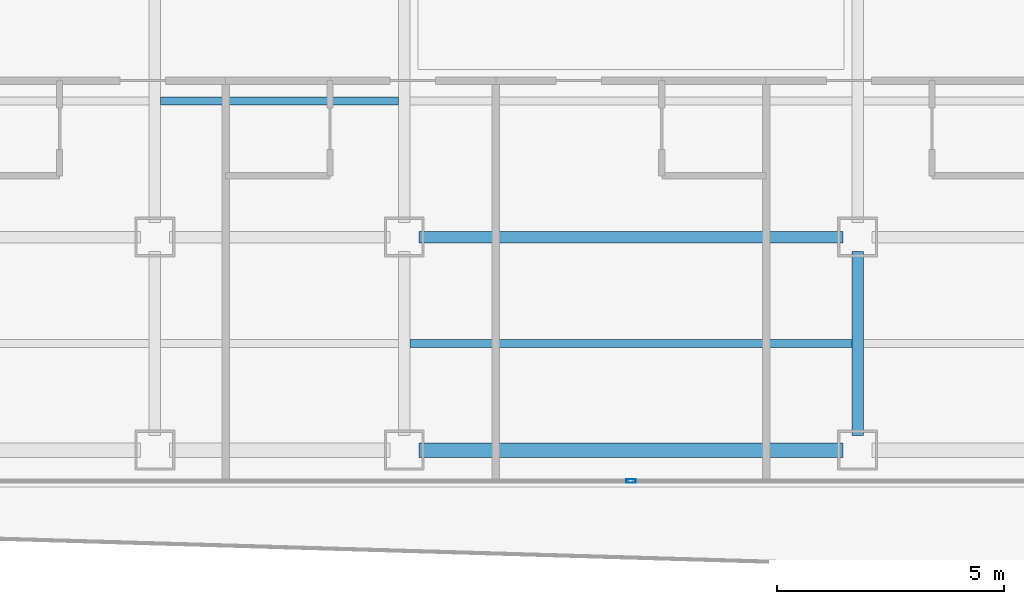
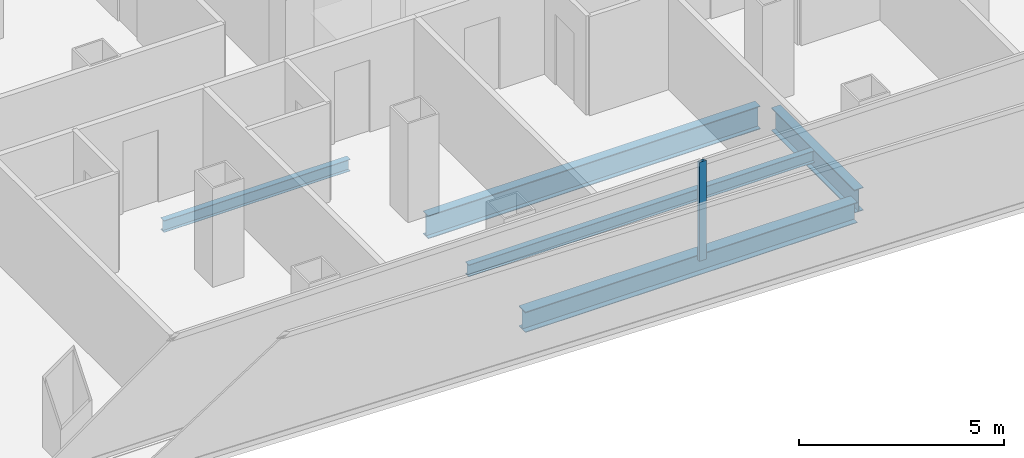
# One storey, part 4 of 21: 5 beams, 1 member, 1 element without a shape of its own.
"""IFC4 building model written with IfcOpenShell, lengths in metres."""

from ifc_helpers import new_model, si_unit, direction, frame, origin, origin_2d, place, context, subcontext, project, spatial, hollow_rectangle, i_section, extrude, source, transform, mapped, material, layer, layer_set, material_profile, profile_set, type_object, element, aggregate, save


model = new_model("IFC4")

# Units and contexts
model_context = context("Model", 3, precision=1e-05, world=origin(), true_north=direction((0.0, 1.0)))
body_context = subcontext(model_context, "Body", "Model", "MODEL_VIEW")
ifc_project = project(units=[si_unit("LENGTHUNIT", "METRE"), si_unit("AREAUNIT", "SQUARE_METRE"), si_unit("VOLUMEUNIT", "CUBIC_METRE"), si_unit("PLANEANGLEUNIT", "RADIAN"), si_unit("MASSUNIT", "GRAM", prefix="KILO")], contexts=[model_context])

# Site, building, storey
site_placement = place(None, origin())
site = spatial("IfcSite", under=ifc_project, at=site_placement, CompositionType="ELEMENT")
building_placement = place(site_placement, origin())
building = spatial("IfcBuilding", under=site, at=building_placement, Name="Kolveth Station Tower", CompositionType="ELEMENT")
storey_placement = place(building_placement, frame((0.0, 0.0, 115.10009765625)))
storey = spatial("IfcBuildingStorey", under=building, at=storey_placement, Name="L31", CompositionType="ELEMENT", Elevation=115.10009765625)

# Beams
ifc_material_1 = material(Name="Steel S355", Category="steel")
ifc_material_profile_1 = material_profile(ifc_material_1, i_section(OverallWidth=0.323974609375, OverallDepth=0.611083984375, WebThickness=0.0126953125, FlangeThickness=0.01904296875, at=origin_2d()), Name="W610x155")
ifc_profile_set_1 = profile_set([ifc_material_profile_1], Name="Steel S355")
beam_type_1 = type_object("IfcBeamType", Name="Beam_SP2", PredefinedType="SPANDREL", material=ifc_profile_set_1)
shared_shape_1 = source(origin(), body_context, "Body", "SweptSolid", [
    extrude(i_section(OverallWidth=0.323974609375, OverallDepth=0.611083984375, WebThickness=0.0126953125, FlangeThickness=0.01904296875, at=origin_2d()), origin(), (0.0, 0.0, 1.0), 9.35986328125),
])
beam_1_placement = place(storey_placement, frame((18.820068359375, 0.800048828125, -0.5556640625), z_axis=(1.0, 0.0, 0.0), x_axis=(0.0, 1.0, 0.0)))
element("IfcBeam", 1, at=beam_1_placement, inside=storey, type_object=beam_type_1, Name="L31 Perimeter Spandrel BM-L31-PS-3", PredefinedType="SPANDREL", context=body_context, shape_type="MappedRepresentation", body=[
    mapped(shared_shape_1, transform((0.0, 0.0, 0.0), x_axis=(1.0, 0.0, 0.0), y_axis=(0.0, 1.0, 0.0), z_axis=(0.0, 0.0, 1.0), scale=1.0)),
])
ifc_material_profile_2 = material_profile(ifc_material_1, i_section(OverallWidth=0.25390625, OverallDepth=0.68798828125, WebThickness=0.01318359375, FlangeThickness=0.02099609375, at=origin_2d()), Name="W690x152")
ifc_profile_set_2 = profile_set([ifc_material_profile_2], Name="Steel S355")
beam_type_2 = type_object("IfcBeamType", Name="Beam_B4", PredefinedType="BEAM", material=ifc_profile_set_2)
shared_shape_2 = source(origin(), body_context, "Body", "SweptSolid", [
    extrude(i_section(OverallWidth=0.25390625, OverallDepth=0.68798828125, WebThickness=0.01318359375, FlangeThickness=0.02099609375, at=origin_2d()), origin(), (0.0, 0.0, 1.0), 9.35986328125),
])
beam_2_placement = place(storey_placement, frame((18.820068359375, 5.5, -0.593994140625), z_axis=(1.0, 0.0, 0.0), x_axis=(0.0, 1.0, 0.0)))
element("IfcBeam", 2, at=beam_2_placement, inside=storey, type_object=beam_type_2, Name="L31 Primary Girder BM-L31-GY55-4", PredefinedType="BEAM", context=body_context, shape_type="MappedRepresentation", body=[
    mapped(shared_shape_2, transform((0.0, 0.0, 0.0), x_axis=(1.0, 0.0, 0.0), y_axis=(0.0, 1.0, 0.0), z_axis=(0.0, 0.0, 1.0), scale=1.0)),
])
shared_shape_3 = source(origin(), body_context, "Body", "SweptSolid", [
    extrude(i_section(OverallWidth=0.25390625, OverallDepth=0.68798828125, WebThickness=0.01318359375, FlangeThickness=0.02099609375, at=origin_2d()), origin(), (0.0, 0.0, 1.0), 4.059814453125),
])
beam_3_placement = place(storey_placement, frame((28.5, 1.1201171875, -0.593994140625), z_axis=(0.0, 1.0, 0.0), x_axis=(-1.0, 0.0, 0.0)))
element("IfcBeam", 3, at=beam_3_placement, inside=storey, type_object=beam_type_2, Name="L31 Primary Girder BM-L31-GX285-1", PredefinedType="BEAM", context=body_context, shape_type="MappedRepresentation", body=[
    mapped(shared_shape_3, transform((0.0, 0.0, 0.0), x_axis=(1.0, 0.0, 0.0), y_axis=(0.0, 1.0, 0.0), z_axis=(0.0, 0.0, 1.0), scale=1.0)),
])
ifc_material_profile_3 = material_profile(ifc_material_1, i_section(OverallWidth=0.1708984375, OverallDepth=0.35205078125, WebThickness=0.0068359375, FlangeThickness=0.009765625, at=origin_2d()), Name="W360x44")
ifc_profile_set_3 = profile_set([ifc_material_profile_3], Name="Steel S355")
beam_type_3 = type_object("IfcBeamType", Name="Beam_J2", PredefinedType="JOIST", material=ifc_profile_set_3)
shared_shape_4 = source(origin(), body_context, "Body", "SweptSolid", [
    extrude(i_section(OverallWidth=0.1708984375, OverallDepth=0.35205078125, WebThickness=0.0068359375, FlangeThickness=0.009765625, at=origin_2d()), origin(), (0.0, 0.0, 1.0), 5.25),
])
beam_4_placement = place(storey_placement, frame((13.125, 8.5, -0.426025390625), z_axis=(1.0, 0.0, 0.0), x_axis=(0.0, 1.0, 0.0)))
element("IfcBeam", 4, at=beam_4_placement, inside=storey, type_object=beam_type_3, Name="L31 Secondary Joist JST-L31-3-2", PredefinedType="JOIST", context=body_context, shape_type="MappedRepresentation", body=[
    mapped(shared_shape_4, transform((0.0, 0.0, 0.0), x_axis=(1.0, 0.0, 0.0), y_axis=(0.0, 1.0, 0.0), z_axis=(0.0, 0.0, 1.0), scale=1.0)),
])
shared_shape_5 = source(origin(), body_context, "Body", "SweptSolid", [
    extrude(i_section(OverallWidth=0.1708984375, OverallDepth=0.35205078125, WebThickness=0.0068359375, FlangeThickness=0.009765625, at=origin_2d()), origin(), (0.0, 0.0, 1.0), 9.75),
])
beam_5_placement = place(storey_placement, frame((18.625, 3.14990234375, -0.426025390625), z_axis=(1.0, 0.0, 0.0), x_axis=(0.0, 1.0, 0.0)))
element("IfcBeam", 5, at=beam_5_placement, inside=storey, type_object=beam_type_3, Name="L31 Secondary Joist JST-L31-4-1", PredefinedType="JOIST", context=body_context, shape_type="MappedRepresentation", body=[
    mapped(shared_shape_5, transform((0.0, 0.0, 0.0), x_axis=(1.0, 0.0, 0.0), y_axis=(0.0, 1.0, 0.0), z_axis=(0.0, 0.0, 1.0), scale=1.0)),
])

# Curtain wall, member
ifc_material_2 = material(Name="Aluminium 6063-T6 and low-E dark glass", Category="aluminium")
ifc_layer = layer(ifc_material_2, 0.18994140625)
ifc_layer_set = layer_set([ifc_layer], Name="Aluminium 6063-T6 and low-E dark glass")
curtain_wall_type = type_object("IfcCurtainWallType", Name="CurtainWall_CW-Z2", PredefinedType="NOTDEFINED", material=ifc_layer_set)
curtain_wall_placement = place(storey_placement, origin())
curtain_wall = element("IfcCurtainWall", 6, at=curtain_wall_placement, inside=storey, type_object=curtain_wall_type, Name="L31 Inner Thermal Curtain Wall 12", PredefinedType="NOTDEFINED")
ifc_material_3 = material(Name="Black anodized aluminium 6063-T6", Category="aluminium")
ifc_material_profile_4 = material_profile(ifc_material_3, hollow_rectangle(XDim=0.080078125, YDim=0.199951171875, WallThickness=0.0048828125, at=origin_2d()), Name="ALU-80x200x5")
ifc_profile_set_4 = profile_set([ifc_material_profile_4], Name="Black anodized aluminium 6063-T6")
member_type = type_object("IfcMemberType", Name="Mullion_ML2", PredefinedType="MULLION", material=ifc_profile_set_4)
shared_shape_6 = source(origin(), body_context, "Body", "SweptSolid", [
    extrude(hollow_rectangle(XDim=0.080078125, YDim=0.199951171875, WallThickness=0.0048828125, at=origin_2d()), origin(), (0.0, 0.0, 1.0), 2.949951171875),
])
member_placement = place(storey_placement, frame((23.5, 0.1201171875, 0.0), z_axis=(0.0, 0.0, 1.0), x_axis=(0.0, 1.0, 0.0)))
member = element("IfcMember", 7, at=member_placement, type_object=member_type, Name="CW-Z2 mullion 2", PredefinedType="MULLION", context=body_context, shape_type="MappedRepresentation", body=[
    mapped(shared_shape_6, transform((0.0, 0.0, 0.0), x_axis=(1.0, 0.0, 0.0), y_axis=(0.0, 1.0, 0.0), z_axis=(0.0, 0.0, 1.0), scale=1.0)),
])
aggregate(curtain_wall, [member])

save(model, "model.ifc")
